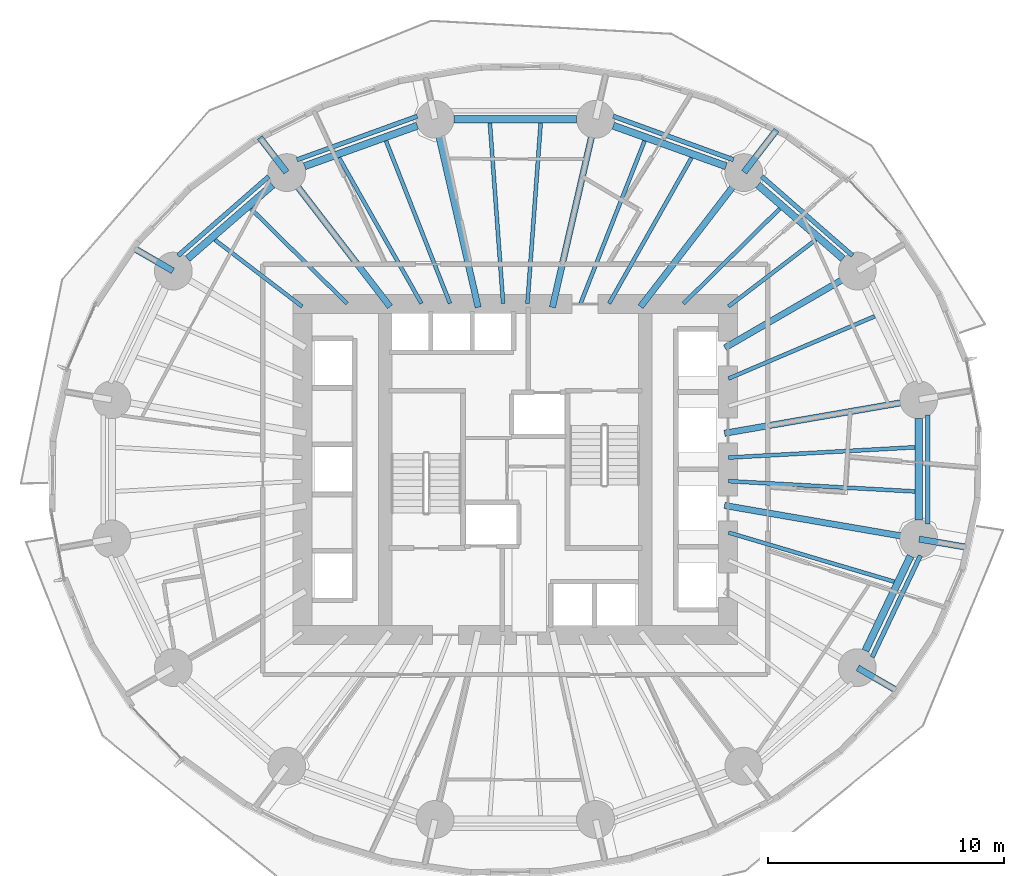
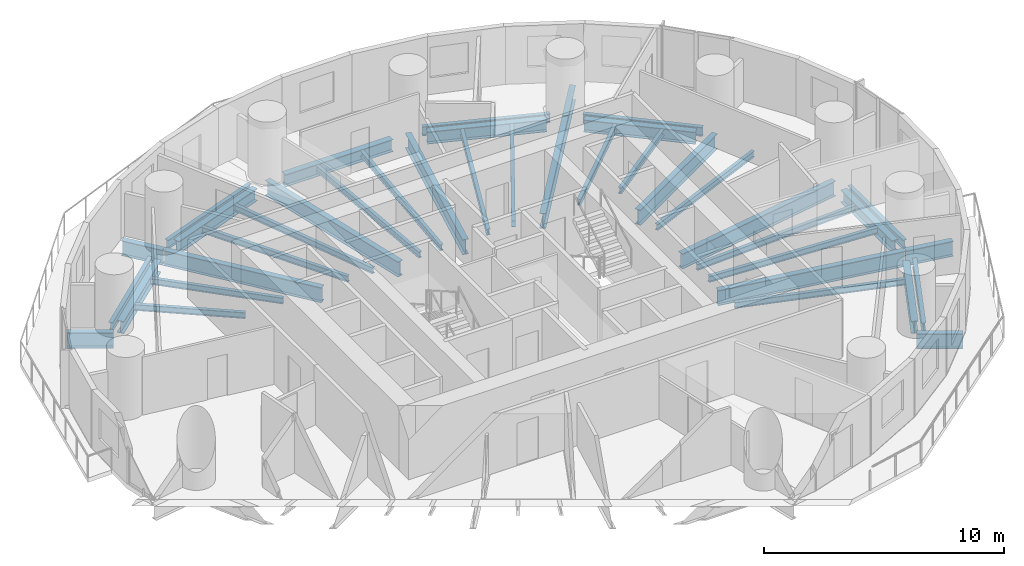
# One storey, part 4 of 14: 39 beams.
"""IFC4 building model written with IfcOpenShell, lengths in metres."""

from ifc_helpers import new_model, si_unit, direction, frame, origin, origin_2d, place, context, subcontext, project, spatial, i_section, extrude, material, material_profile, profile_set, type_object, element, save


model = new_model("IFC4")

# Units and contexts
model_context = context("Model", 3, precision=1e-05, world=origin(), true_north=direction((0.0, 1.0)))
body_context = subcontext(model_context, "Body", "Model", "MODEL_VIEW")
ifc_project = project(units=[si_unit("LENGTHUNIT", "METRE"), si_unit("AREAUNIT", "SQUARE_METRE"), si_unit("VOLUMEUNIT", "CUBIC_METRE"), si_unit("PLANEANGLEUNIT", "RADIAN"), si_unit("MASSUNIT", "GRAM", prefix="KILO")], contexts=[model_context])

# Site, building, storey
site_placement = place(None, origin())
site = spatial("IfcSite", under=ifc_project, at=site_placement, CompositionType="ELEMENT")
building_placement = place(site_placement, origin())
building = spatial("IfcBuilding", under=site, at=building_placement, Name="Veldorim Arch Residences", CompositionType="ELEMENT")
storey_placement = place(building_placement, frame((0.0, 0.0, 28.0)))
storey = spatial("IfcBuildingStorey", under=building, at=storey_placement, Name="L07", CompositionType="ELEMENT", Elevation=28.0)

# Beams
ifc_material_1 = material(Name="Steel S355", Category="steel")
ifc_material_profile_1 = material_profile(ifc_material_1, i_section(OverallWidth=0.30712890625, OverallDepth=0.6201171875, WebThickness=0.01416015625, FlangeThickness=0.023681640625, at=origin_2d()), Name="UB610x305x179")
ifc_profile_set_1 = profile_set([ifc_material_profile_1], Name="Steel S355")
beam_type_1 = type_object("IfcBeamType", Name="Structural Steel Beam UB610x305x179", PredefinedType="BEAM", material=ifc_profile_set_1)
beam_1_placement = place(storey_placement, frame((45.86328125, 32.913330078125, -0.550048828125), z_axis=(-0.755235029424, 0.655454079499, 0.0), x_axis=(-0.655454079499, -0.755235029424, 0.0)))
element("IfcBeam", 1, at=beam_1_placement, inside=storey, type_object=beam_type_1, Name="L07 perimeter ring tie beam 02", PredefinedType="BEAM", context=body_context, shape_type="SweptSolid", body=[
    extrude(i_section(OverallWidth=0.30712890625, OverallDepth=0.6201171875, WebThickness=0.01416015625, FlangeThickness=0.023681640625, at=origin_2d()), origin(), (0.0, 0.0, 1.0), 4.756591796875),
])
beam_2_placement = place(storey_placement, frame((40.9140625, 36.82568359375, -0.550048828125), z_axis=(-0.94103540046, 0.338308106732, 0.0), x_axis=(-0.338308106732, -0.94103540046, 0.0)))
element("IfcBeam", 2, at=beam_2_placement, inside=storey, type_object=beam_type_1, Name="L07 perimeter ring tie beam 03", PredefinedType="BEAM", context=body_context, shape_type="SweptSolid", body=[
    extrude(i_section(OverallWidth=0.30712890625, OverallDepth=0.6201171875, WebThickness=0.01416015625, FlangeThickness=0.023681640625, at=origin_2d()), origin(), (0.0, 0.0, 1.0), 5.065185546875),
])
beam_3_placement = place(storey_placement, frame((34.594482421875, 38.809814453125, -0.550048828125), z_axis=(-1.0, 0.0, 0.0), x_axis=(0.0, -1.0, 0.0)))
element("IfcBeam", 3, at=beam_3_placement, inside=storey, type_object=beam_type_1, Name="L07 perimeter ring tie beam 04", PredefinedType="BEAM", context=body_context, shape_type="SweptSolid", body=[
    extrude(i_section(OverallWidth=0.30712890625, OverallDepth=0.6201171875, WebThickness=0.01416015625, FlangeThickness=0.023681640625, at=origin_2d()), origin(), (0.0, 0.0, 1.0), 5.18896484375),
])
beam_4_placement = place(storey_placement, frame((27.8525390625, 38.539306640625, -0.550048828125), z_axis=(-0.94103540046, -0.338308106732, 0.0), x_axis=(0.338308106732, -0.94103540046, 0.0)))
element("IfcBeam", 4, at=beam_4_placement, inside=storey, type_object=beam_type_1, Name="L07 perimeter ring tie beam 05", PredefinedType="BEAM", context=body_context, shape_type="SweptSolid", body=[
    extrude(i_section(OverallWidth=0.30712890625, OverallDepth=0.6201171875, WebThickness=0.01416015625, FlangeThickness=0.023681640625, at=origin_2d()), origin(), (0.0, 0.0, 1.0), 5.065185546875),
])
beam_5_placement = place(storey_placement, frame((21.72900390625, 36.031005859375, -0.550048828125), z_axis=(-0.755235029424, -0.655454079499, 0.0), x_axis=(0.655454079499, -0.755235029424, 0.0)))
element("IfcBeam", 5, at=beam_5_placement, inside=storey, type_object=beam_type_1, Name="L07 perimeter ring tie beam 06", PredefinedType="BEAM", context=body_context, shape_type="SweptSolid", body=[
    extrude(i_section(OverallWidth=0.30712890625, OverallDepth=0.6201171875, WebThickness=0.01416015625, FlangeThickness=0.023681640625, at=origin_2d()), origin(), (0.0, 0.0, 1.0), 4.756591796875),
])
beam_6_placement = place(storey_placement, frame((46.812255859375, 16.3330078125, -0.550048828125), z_axis=(0.430786696724, 0.902453778276, 0.0), x_axis=(-0.902453778276, 0.430786696724, 0.0)))
element("IfcBeam", 6, at=beam_6_placement, inside=storey, type_object=beam_type_1, Name="L07 perimeter ring tie beam 15", PredefinedType="BEAM", context=body_context, shape_type="SweptSolid", body=[
    extrude(i_section(OverallWidth=0.30712890625, OverallDepth=0.6201171875, WebThickness=0.01416015625, FlangeThickness=0.023681640625, at=origin_2d()), origin(), (0.0, 0.0, 1.0), 4.431396484375),
])
beam_7_placement = place(storey_placement, frame((49.065673828125, 21.85400390625, -0.550048828125), z_axis=(0.0, 1.0, 0.0), x_axis=(-1.0, 0.0, 0.0)))
element("IfcBeam", 7, at=beam_7_placement, inside=storey, type_object=beam_type_1, Name="L07 perimeter ring tie beam 16", PredefinedType="BEAM", context=body_context, shape_type="SweptSolid", body=[
    extrude(i_section(OverallWidth=0.30712890625, OverallDepth=0.6201171875, WebThickness=0.01416015625, FlangeThickness=0.023681640625, at=origin_2d()), origin(), (0.0, 0.0, 1.0), 4.2919921875),
])
ifc_material_2 = material(Name="Steel S355", Category="steel")
ifc_material_profile_2 = material_profile(ifc_material_2, i_section(OverallWidth=0.26806640625, OverallDepth=0.769775390625, WebThickness=0.015625, FlangeThickness=0.025390625, at=origin_2d()), Name="UB762x267x197")
ifc_profile_set_2 = profile_set([ifc_material_profile_2], Name="Steel S355")
beam_type_2 = type_object("IfcBeamType", Name="Structural Steel GIRDER UB762x267x197", PredefinedType="USERDEFINED", material=ifc_profile_set_2)
beam_8_placement = place(storey_placement, frame((40.852294921875, 25.528076171875, -0.625), z_axis=(0.985427548249, 0.170095699979, 0.0), x_axis=(-0.170095699979, 0.985427548249, 0.0)))
element("IfcBeam", 8, at=beam_8_placement, inside=storey, type_object=beam_type_2, Name="L07 radial floor girder 01", ObjectType="GIRDER", PredefinedType="USERDEFINED", context=body_context, shape_type="SweptSolid", body=[
    extrude(i_section(OverallWidth=0.26806640625, OverallDepth=0.769775390625, WebThickness=0.015625, FlangeThickness=0.025390625, at=origin_2d()), origin(), (0.0, 0.0, 1.0), 8.314697265625),
])
beam_9_placement = place(storey_placement, frame((40.8701171875, 29.1435546875, -0.625), z_axis=(0.865088348752, 0.501619525989, 0.0), x_axis=(-0.501619525989, 0.865088348752, 0.0)))
element("IfcBeam", 9, at=beam_9_placement, inside=storey, type_object=beam_type_2, Name="L07 radial floor girder 02", ObjectType="GIRDER", PredefinedType="USERDEFINED", context=body_context, shape_type="SweptSolid", body=[
    extrude(i_section(OverallWidth=0.26806640625, OverallDepth=0.769775390625, WebThickness=0.015625, FlangeThickness=0.025390625, at=origin_2d()), origin(), (0.0, 0.0, 1.0), 6.4501953125),
])
beam_10_placement = place(storey_placement, frame((37.298095703125, 30.881103515625, -0.625), z_axis=(0.610082439157, 0.792337943956, 0.0), x_axis=(-0.792337943956, 0.610082439157, 0.0)))
element("IfcBeam", 10, at=beam_10_placement, inside=storey, type_object=beam_type_2, Name="L07 radial floor girder 03", ObjectType="GIRDER", PredefinedType="USERDEFINED", context=body_context, shape_type="SweptSolid", body=[
    extrude(i_section(OverallWidth=0.26806640625, OverallDepth=0.769775390625, WebThickness=0.015625, FlangeThickness=0.025390625, at=origin_2d()), origin(), (0.0, 0.0, 1.0), 7.14111328125),
])
beam_11_placement = place(storey_placement, frame((41.67919921875, 36.571044921875, -0.625), z_axis=(0.610044777152, 0.792366941429, 0.0), x_axis=(-0.792366941429, 0.610044777152, 0.0)))
element("IfcBeam", 11, at=beam_11_placement, inside=storey, type_object=beam_type_2, Name="L07 radial edge cantilever girder 03", ObjectType="GIRDER", PredefinedType="USERDEFINED", context=body_context, shape_type="SweptSolid", body=[
    extrude(i_section(OverallWidth=0.26806640625, OverallDepth=0.769775390625, WebThickness=0.015625, FlangeThickness=0.025390625, at=origin_2d()), origin(), (0.0, 0.0, 1.0), 2.26025390625),
])
for number, where, z_axis, x_axis, name in (
    (12, (33.571044921875, 30.853759765625, -0.625), (0.223411766201, 0.974724157248, 0.0), (-0.974724157248, 0.223411766201, 0.0), "L07 radial floor girder 04"),
    (13, (30.428955078125, 30.853759765625, -0.625), (-0.223411766201, 0.974724157248, 0.0), (-0.974724157248, -0.223411766201, 0.0), "L07 radial floor girder 05"),
):
    element("IfcBeam", number, at=place(storey_placement, frame(where, z_axis=z_axis, x_axis=x_axis)), inside=storey, type_object=beam_type_2, Name=name, ObjectType="GIRDER", PredefinedType="USERDEFINED", context=body_context, shape_type="SweptSolid", body=[
        extrude(i_section(OverallWidth=0.26806640625, OverallDepth=0.769775390625, WebThickness=0.015625, FlangeThickness=0.025390625, at=origin_2d()), origin(), (0.0, 0.0, 1.0), 8.142333984375),
    ])
beam_12_placement = place(storey_placement, frame((26.701904296875, 30.881103515625, -0.625), z_axis=(-0.610082439157, 0.792337943956, 0.0), x_axis=(-0.792337943956, -0.610082439157, 0.0)))
element("IfcBeam", 14, at=beam_12_placement, inside=storey, type_object=beam_type_2, Name="L07 radial floor girder 06", ObjectType="GIRDER", PredefinedType="USERDEFINED", context=body_context, shape_type="SweptSolid", body=[
    extrude(i_section(OverallWidth=0.26806640625, OverallDepth=0.769775390625, WebThickness=0.015625, FlangeThickness=0.025390625, at=origin_2d()), origin(), (0.0, 0.0, 1.0), 7.14111328125),
])
beam_13_placement = place(storey_placement, frame((22.32080078125, 36.571044921875, -0.625), z_axis=(-0.610034959005, 0.792374500342, 0.0), x_axis=(-0.792374500342, -0.610034959005, 0.0)))
element("IfcBeam", 15, at=beam_13_placement, inside=storey, type_object=beam_type_2, Name="L07 radial edge cantilever girder 06", ObjectType="GIRDER", PredefinedType="USERDEFINED", context=body_context, shape_type="SweptSolid", body=[
    extrude(i_section(OverallWidth=0.26806640625, OverallDepth=0.769775390625, WebThickness=0.015625, FlangeThickness=0.025390625, at=origin_2d()), origin(), (0.0, 0.0, 1.0), 1.855712890625),
])
for number, where, z_axis, x_axis, name in (
    (16, (17.51513671875, 32.399169921875, -0.625), (-0.865102072799, 0.501595856879, 0.0), (-0.501595856879, -0.865102072799, 0.0), "L07 radial edge cantilever girder 07"),
    (17, (46.48486328125, 15.600830078125, -0.625), (0.865102072799, -0.501595856879, 0.0), (0.501595856879, 0.865102072799, 0.0), "L07 radial edge cantilever girder 15"),
):
    element("IfcBeam", number, at=place(storey_placement, frame(where, z_axis=z_axis, x_axis=x_axis)), inside=storey, type_object=beam_type_2, Name=name, ObjectType="GIRDER", PredefinedType="USERDEFINED", context=body_context, shape_type="SweptSolid", body=[
        extrude(i_section(OverallWidth=0.26806640625, OverallDepth=0.769775390625, WebThickness=0.015625, FlangeThickness=0.025390625, at=origin_2d()), origin(), (0.0, 0.0, 1.0), 1.943115234375),
    ])
beam_14_placement = place(storey_placement, frame((40.852294921875, 22.471923828125, -0.625), z_axis=(0.985427548249, -0.170095699979, 0.0), x_axis=(0.170095699979, 0.985427548249, 0.0)))
element("IfcBeam", 18, at=beam_14_placement, inside=storey, type_object=beam_type_2, Name="L07 radial floor girder 16", ObjectType="GIRDER", PredefinedType="USERDEFINED", context=body_context, shape_type="SweptSolid", body=[
    extrude(i_section(OverallWidth=0.26806640625, OverallDepth=0.769775390625, WebThickness=0.015625, FlangeThickness=0.025390625, at=origin_2d()), origin(), (0.0, 0.0, 1.0), 8.314697265625),
])
beam_15_placement = place(storey_placement, frame((49.08544921875, 21.05078125, -0.625), z_axis=(0.985424365947, -0.170114135211, 0.0), x_axis=(0.170114135211, 0.985424365947, 0.0)))
element("IfcBeam", 19, at=beam_15_placement, inside=storey, type_object=beam_type_2, Name="L07 radial edge cantilever girder 16", ObjectType="GIRDER", PredefinedType="USERDEFINED", context=body_context, shape_type="SweptSolid", body=[
    extrude(i_section(OverallWidth=0.26806640625, OverallDepth=0.769775390625, WebThickness=0.015625, FlangeThickness=0.025390625, at=origin_2d()), origin(), (0.0, 0.0, 1.0), 2.091064453125),
])
ifc_material_3 = material(Name="Steel S355", Category="steel")
ifc_material_profile_3 = material_profile(ifc_material_3, i_section(OverallWidth=0.165771484375, OverallDepth=0.306640625, WebThickness=0.006591796875, FlangeThickness=0.01171875, at=origin_2d()), Name="UB305x165x46")
ifc_profile_set_3 = profile_set([ifc_material_profile_3], Name="Steel S355")
beam_type_3 = type_object("IfcBeamType", Name="Structural Steel Joist UB305x165x46", PredefinedType="JOIST", material=ifc_profile_set_3)
beam_16_placement = place(storey_placement, frame((41.018310546875, 27.84130859375, -0.393310546875), z_axis=(0.920032948668, 0.391841005213, 0.0), x_axis=(-0.391841005213, 0.920032948668, 0.0)))
element("IfcBeam", 20, at=beam_16_placement, inside=storey, type_object=beam_type_3, Name="L07 secondary radial floor joist 01-2", PredefinedType="JOIST", context=body_context, shape_type="SweptSolid", body=[
    extrude(i_section(OverallWidth=0.165771484375, OverallDepth=0.306640625, WebThickness=0.006591796875, FlangeThickness=0.01171875, at=origin_2d()), origin(), (0.0, 0.0, 1.0), 6.723388671875),
])
beam_17_placement = place(storey_placement, frame((41.015869140625, 30.8876953125, -0.393310546875), z_axis=(0.794666431166, 0.607046343517, 0.0), x_axis=(-0.607046343517, 0.794666431166, 0.0)))
element("IfcBeam", 21, at=beam_17_placement, inside=storey, type_object=beam_type_3, Name="L07 secondary radial floor joist 02-1", PredefinedType="JOIST", context=body_context, shape_type="SweptSolid", body=[
    extrude(i_section(OverallWidth=0.165771484375, OverallDepth=0.306640625, WebThickness=0.006591796875, FlangeThickness=0.01171875, at=origin_2d()), origin(), (0.0, 0.0, 1.0), 4.646728515625),
])
beam_18_placement = place(storey_placement, frame((39.114990234375, 31.013916015625, -0.393310546875), z_axis=(0.712129078446, 0.702048556463, 0.0), x_axis=(-0.702048556463, 0.712129078446, 0.0)))
element("IfcBeam", 22, at=beam_18_placement, inside=storey, type_object=beam_type_3, Name="L07 secondary radial floor joist 02-2", PredefinedType="JOIST", context=body_context, shape_type="SweptSolid", body=[
    extrude(i_section(OverallWidth=0.165771484375, OverallDepth=0.306640625, WebThickness=0.006591796875, FlangeThickness=0.01171875, at=origin_2d()), origin(), (0.0, 0.0, 1.0), 5.715576171875),
])
beam_19_placement = place(storey_placement, frame((35.96875, 31.017333984375, -0.393310546875), z_axis=(0.492292335352, 0.870429926274, 0.0), x_axis=(-0.870429926274, 0.492292335352, 0.0)))
element("IfcBeam", 23, at=beam_19_placement, inside=storey, type_object=beam_type_3, Name="L07 secondary radial floor joist 03-1", PredefinedType="JOIST", context=body_context, shape_type="SweptSolid", body=[
    extrude(i_section(OverallWidth=0.165771484375, OverallDepth=0.306640625, WebThickness=0.006591796875, FlangeThickness=0.01171875, at=origin_2d()), origin(), (0.0, 0.0, 1.0), 7.083251953125),
])
beam_20_placement = place(storey_placement, frame((34.762451171875, 31.0185546875, -0.393310546875), z_axis=(0.366229833858, 0.930524426758, 0.0), x_axis=(-0.930524426758, 0.366229833858, 0.0)))
element("IfcBeam", 24, at=beam_20_placement, inside=storey, type_object=beam_type_3, Name="L07 secondary radial floor joist 03-2", PredefinedType="JOIST", context=body_context, shape_type="SweptSolid", body=[
    extrude(i_section(OverallWidth=0.165771484375, OverallDepth=0.306640625, WebThickness=0.006591796875, FlangeThickness=0.01171875, at=origin_2d()), origin(), (0.0, 0.0, 1.0), 7.3896484375),
])
for number, where, z_axis, x_axis, name in (
    (25, (32.514892578125, 31.02001953125, -0.393310546875), (0.073167620373, 0.997319657547, 0.0), (-0.997319657547, 0.073167620373, 0.0), "L07 secondary radial floor joist 04-1"),
    (26, (31.485107421875, 31.02001953125, -0.393310546875), (-0.073167620373, 0.997319657547, 0.0), (-0.997319657547, -0.073167620373, 0.0), "L07 secondary radial floor joist 04-2"),
):
    element("IfcBeam", number, at=place(storey_placement, frame(where, z_axis=z_axis, x_axis=x_axis)), inside=storey, type_object=beam_type_3, Name=name, PredefinedType="JOIST", context=body_context, shape_type="SweptSolid", body=[
        extrude(i_section(OverallWidth=0.165771484375, OverallDepth=0.306640625, WebThickness=0.006591796875, FlangeThickness=0.01171875, at=origin_2d()), origin(), (0.0, 0.0, 1.0), 7.651123046875),
    ])
beam_21_placement = place(storey_placement, frame((29.237548828125, 31.0185546875, -0.393310546875), z_axis=(-0.366229833858, 0.930524426758, 0.0), x_axis=(-0.930524426758, -0.366229833858, 0.0)))
element("IfcBeam", 27, at=beam_21_placement, inside=storey, type_object=beam_type_3, Name="L07 secondary radial floor joist 05-1", PredefinedType="JOIST", context=body_context, shape_type="SweptSolid", body=[
    extrude(i_section(OverallWidth=0.165771484375, OverallDepth=0.306640625, WebThickness=0.006591796875, FlangeThickness=0.01171875, at=origin_2d()), origin(), (0.0, 0.0, 1.0), 7.3896484375),
])
beam_22_placement = place(storey_placement, frame((28.03125, 31.017333984375, -0.393310546875), z_axis=(-0.492292335352, 0.870429926274, 0.0), x_axis=(-0.870429926274, -0.492292335352, 0.0)))
element("IfcBeam", 28, at=beam_22_placement, inside=storey, type_object=beam_type_3, Name="L07 secondary radial floor joist 05-2", PredefinedType="JOIST", context=body_context, shape_type="SweptSolid", body=[
    extrude(i_section(OverallWidth=0.165771484375, OverallDepth=0.306640625, WebThickness=0.006591796875, FlangeThickness=0.01171875, at=origin_2d()), origin(), (0.0, 0.0, 1.0), 7.083251953125),
])
beam_23_placement = place(storey_placement, frame((24.885009765625, 31.013916015625, -0.393310546875), z_axis=(-0.712129078446, 0.702048556463, 0.0), x_axis=(-0.702048556463, -0.712129078446, 0.0)))
element("IfcBeam", 29, at=beam_23_placement, inside=storey, type_object=beam_type_3, Name="L07 secondary radial floor joist 06-1", PredefinedType="JOIST", context=body_context, shape_type="SweptSolid", body=[
    extrude(i_section(OverallWidth=0.165771484375, OverallDepth=0.306640625, WebThickness=0.006591796875, FlangeThickness=0.01171875, at=origin_2d()), origin(), (0.0, 0.0, 1.0), 5.715576171875),
])
beam_24_placement = place(storey_placement, frame((22.984130859375, 30.8876953125, -0.393310546875), z_axis=(-0.794666431166, 0.607046343517, 0.0), x_axis=(-0.607046343517, -0.794666431166, 0.0)))
element("IfcBeam", 30, at=beam_24_placement, inside=storey, type_object=beam_type_3, Name="L07 secondary radial floor joist 06-2", PredefinedType="JOIST", context=body_context, shape_type="SweptSolid", body=[
    extrude(i_section(OverallWidth=0.165771484375, OverallDepth=0.306640625, WebThickness=0.006591796875, FlangeThickness=0.01171875, at=origin_2d()), origin(), (0.0, 0.0, 1.0), 4.646728515625),
])
beam_25_placement = place(storey_placement, frame((41.019287109375, 21.32666015625, -0.393310546875), z_axis=(0.958766778771, -0.284194060325, 0.0), x_axis=(0.284194060325, 0.958766778771, 0.0)))
element("IfcBeam", 31, at=beam_25_placement, inside=storey, type_object=beam_type_3, Name="L07 secondary radial floor joist 15-2", PredefinedType="JOIST", context=body_context, shape_type="SweptSolid", body=[
    extrude(i_section(OverallWidth=0.165771484375, OverallDepth=0.306640625, WebThickness=0.006591796875, FlangeThickness=0.01171875, at=origin_2d()), origin(), (0.0, 0.0, 1.0), 7.3115234375),
])
for number, where, z_axis, x_axis, name in (
    (32, (41.02001953125, 23.501708984375, -0.393310546875), (0.998478371109, -0.055144740699, 0.0), (0.055144740699, 0.998478371109, 0.0), "L07 secondary radial floor joist 16-1"),
    (33, (41.02001953125, 24.498291015625, -0.393310546875), (0.998478371109, 0.055144740699, 0.0), (-0.055144740699, 0.998478371109, 0.0), "L07 secondary radial floor joist 16-2"),
):
    element("IfcBeam", number, at=place(storey_placement, frame(where, z_axis=z_axis, x_axis=x_axis)), inside=storey, type_object=beam_type_3, Name=name, PredefinedType="JOIST", context=body_context, shape_type="SweptSolid", body=[
        extrude(i_section(OverallWidth=0.165771484375, OverallDepth=0.306640625, WebThickness=0.006591796875, FlangeThickness=0.01171875, at=origin_2d()), origin(), (0.0, 0.0, 1.0), 7.898193359375),
    ])
ifc_material_4 = material(Name="Steel S355", Category="steel")
ifc_material_profile_4 = material_profile(ifc_material_4, i_section(OverallWidth=0.19140625, OverallDepth=0.4599609375, WebThickness=0.010009765625, FlangeThickness=0.01611328125, at=origin_2d()), Name="UB457x191x82")
ifc_profile_set_4 = profile_set([ifc_material_profile_4], Name="Steel S355")
beam_type_4 = type_object("IfcBeamType", Name="Structural Steel Spandrel UB457x191x82", PredefinedType="SPANDREL", material=ifc_profile_set_4)
beam_26_placement = place(storey_placement, frame((46.26611328125, 33.042724609375, -0.489990234375), z_axis=(-0.753250231024, 0.65773405679, 0.0), x_axis=(-0.65773405679, -0.753250231024, 0.0)))
element("IfcBeam", 34, at=beam_26_placement, inside=storey, type_object=beam_type_4, Name="L07 perimeter chord spandrel beam 02", PredefinedType="SPANDREL", context=body_context, shape_type="SweptSolid", body=[
    extrude(i_section(OverallWidth=0.19140625, OverallDepth=0.4599609375, WebThickness=0.010009765625, FlangeThickness=0.01611328125, at=origin_2d()), origin(), (0.0, 0.0, 1.0), 5.09423828125),
])
for number, where, z_axis, x_axis, name in (
    (35, (41.23681640625, 37.095947265625, -0.489990234375), (-0.940271320222, 0.340425974873, 0.0), (-0.340425974873, -0.940271320222, 0.0), "L07 perimeter chord spandrel beam 03"),
    (36, (27.8583984375, 38.940673828125, -0.489990234375), (-0.940271320222, -0.340425974873, 0.0), (0.340425974873, -0.940271320222, 0.0), "L07 perimeter chord spandrel beam 05"),
):
    element("IfcBeam", number, at=place(storey_placement, frame(where, z_axis=z_axis, x_axis=x_axis)), inside=storey, type_object=beam_type_4, Name=name, PredefinedType="SPANDREL", context=body_context, shape_type="SweptSolid", body=[
        extrude(i_section(OverallWidth=0.19140625, OverallDepth=0.4599609375, WebThickness=0.010009765625, FlangeThickness=0.01611328125, at=origin_2d()), origin(), (0.0, 0.0, 1.0), 5.4189453125),
    ])
beam_27_placement = place(storey_placement, frame((21.571044921875, 36.393310546875, -0.489990234375), z_axis=(-0.753250231024, -0.65773405679, 0.0), x_axis=(0.65773405679, -0.753250231024, 0.0)))
element("IfcBeam", 37, at=beam_27_placement, inside=storey, type_object=beam_type_4, Name="L07 perimeter chord spandrel beam 06", PredefinedType="SPANDREL", context=body_context, shape_type="SweptSolid", body=[
    extrude(i_section(OverallWidth=0.19140625, OverallDepth=0.4599609375, WebThickness=0.010009765625, FlangeThickness=0.01611328125, at=origin_2d()), origin(), (0.0, 0.0, 1.0), 5.09423828125),
])
beam_28_placement = place(storey_placement, frame((47.09814453125, 16.056396484375, -0.489990234375), z_axis=(0.42886940858, 0.903366498374, 0.0), x_axis=(-0.903366498374, 0.42886940858, 0.0)))
element("IfcBeam", 38, at=beam_28_placement, inside=storey, type_object=beam_type_4, Name="L07 perimeter chord spandrel beam 15", PredefinedType="SPANDREL", context=body_context, shape_type="SweptSolid", body=[
    extrude(i_section(OverallWidth=0.19140625, OverallDepth=0.4599609375, WebThickness=0.010009765625, FlangeThickness=0.01611328125, at=origin_2d()), origin(), (0.0, 0.0, 1.0), 4.7568359375),
])
beam_29_placement = place(storey_placement, frame((49.440185546875, 21.693603515625, -0.489990234375), z_axis=(0.0, 1.0, 0.0), x_axis=(-1.0, 0.0, 0.0)))
element("IfcBeam", 39, at=beam_29_placement, inside=storey, type_object=beam_type_4, Name="L07 perimeter chord spandrel beam 16", PredefinedType="SPANDREL", context=body_context, shape_type="SweptSolid", body=[
    extrude(i_section(OverallWidth=0.19140625, OverallDepth=0.4599609375, WebThickness=0.010009765625, FlangeThickness=0.01611328125, at=origin_2d()), origin(), (0.0, 0.0, 1.0), 4.61279296875),
])

save(model, "model.ifc")
